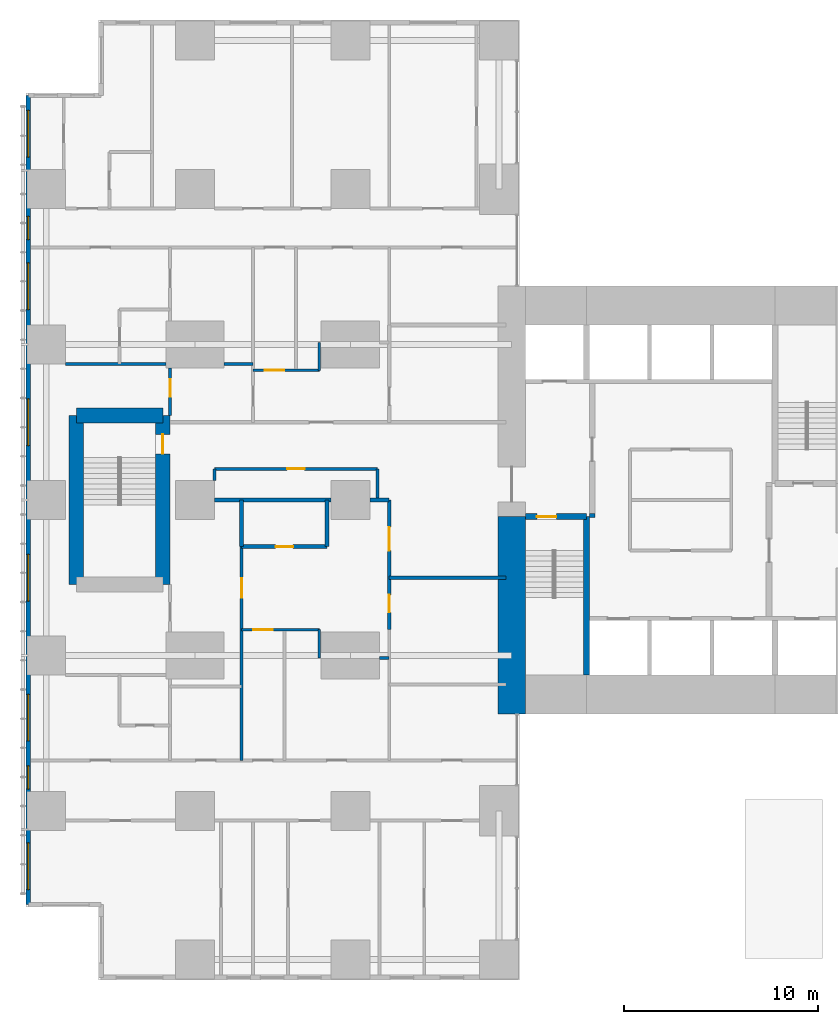
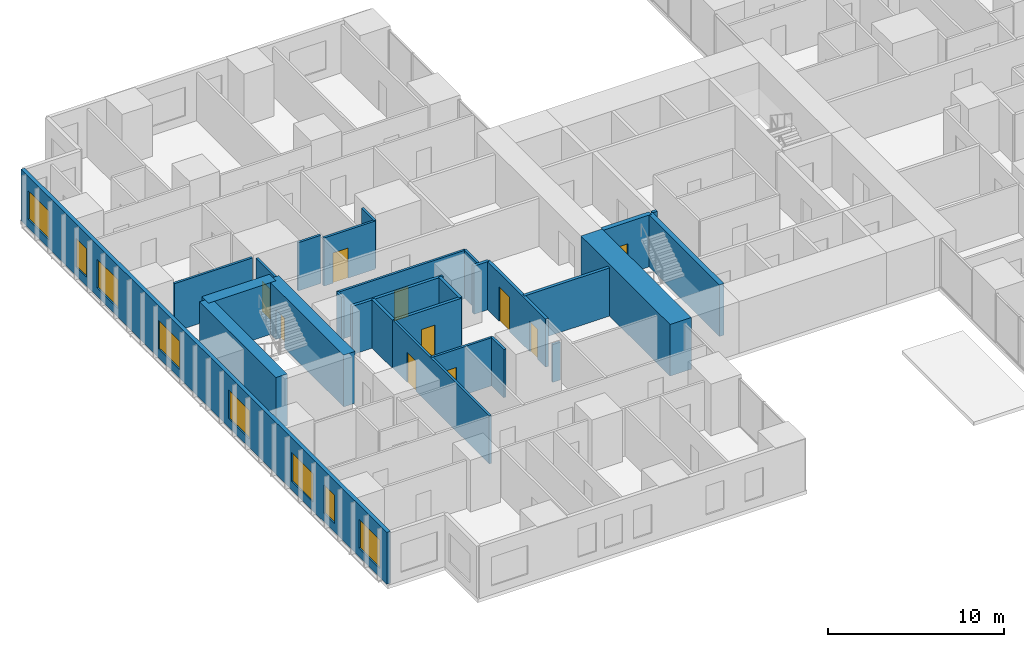
# One storey, part 15 of 22: 27 walls, 10 doors, 8 windows, 18 openings.
"""IFC4 building model written with IfcOpenShell, lengths in metres."""

from ifc_helpers import new_model, si_unit, direction, frame, frame_2d, origin, place, context, subcontext, project, spatial, rectangle, extrude, material, layer, layer_set, type_object, element, fill, save


model = new_model("IFC4")

# Units and contexts
model_context = context("Model", 3, precision=1e-05, world=origin(), true_north=direction((0.0, 1.0)))
body_context = subcontext(model_context, "Body", "Model", "MODEL_VIEW")
ifc_project = project(units=[si_unit("LENGTHUNIT", "METRE"), si_unit("AREAUNIT", "SQUARE_METRE"), si_unit("VOLUMEUNIT", "CUBIC_METRE"), si_unit("PLANEANGLEUNIT", "RADIAN"), si_unit("MASSUNIT", "GRAM", prefix="KILO")], contexts=[model_context])

# Site, building, storey
site_placement = place(None, origin())
site = spatial("IfcSite", under=ifc_project, at=site_placement, CompositionType="ELEMENT")
building_placement = place(site_placement, origin())
building = spatial("IfcBuilding", under=site, at=building_placement, Name="Cleftline Residences", CompositionType="ELEMENT")
storey_placement = place(building_placement, frame((0.0, 0.0, 29.60009765625)))
storey = spatial("IfcBuildingStorey", under=building, at=storey_placement, Name="L06", CompositionType="ELEMENT", Elevation=29.60009765625)

# Walls
ifc_material_1 = material(Name="Concrete B70", Category="concrete")
ifc_layer_1 = layer(ifc_material_1, 1.39990234375)
ifc_layer_set_1 = layer_set([ifc_layer_1], Name="CORE WALL 1400")
wall_type_1 = type_object("IfcWallType", Name="CORE WALL 1400", PredefinedType="SHEAR", material=ifc_layer_set_1)
wall_1_placement = place(storey_placement, frame((24.300048828125, 13.0, 0.0), z_axis=(0.0, 0.0, 1.0), x_axis=(0.0, 1.0, 0.0)))
element("IfcWall", 1, at=wall_1_placement, inside=storey, type_object=wall_type_1, Name="Core wall W0", PredefinedType="SHEAR", context=body_context, shape_type="SweptSolid", body=[
    extrude(rectangle(XDim=10.14990234375, YDim=1.39990234375, at=frame_2d((5.074951171875, 0.0))), origin(), (0.0, 0.0, 1.0), 3.599853515625),
])
ifc_material_2 = material(Name="Concrete B70", Category="concrete")
ifc_layer_2 = layer(ifc_material_2, 0.300048828125)
ifc_layer_set_2 = layer_set([ifc_layer_2], Name="CORE WALL 300")
wall_type_2 = type_object("IfcWallType", Name="CORE WALL 300", PredefinedType="SHEAR", material=ifc_layer_set_2)
wall_2_placement = place(storey_placement, frame((28.14990234375, 15.0, 0.0), z_axis=(0.0, 0.0, 1.0), x_axis=(0.0, 1.0, 0.0)))
element("IfcWall", 2, at=wall_2_placement, inside=storey, type_object=wall_type_2, Name="Core wall SA-E", PredefinedType="SHEAR", context=body_context, shape_type="SweptSolid", body=[
    extrude(rectangle(XDim=8.14990234375, YDim=0.300048828125, at=frame_2d((4.074951171875, 0.0))), origin(), (0.0, 0.0, 1.0), 3.599853515625),
])

# Wall, opening, door
wall_3_placement = place(storey_placement, frame((25.0, 23.14990234375, 0.0), z_axis=(0.0, 0.0, 1.0), x_axis=(1.0, 0.0, 0.0)))
wall_3 = element("IfcWall", 3, at=wall_3_placement, inside=storey, type_object=wall_type_2, Name="Core wall SA-N", PredefinedType="SHEAR", context=body_context, shape_type="SweptSolid", body=[
    extrude(rectangle(XDim=3.14990234375, YDim=0.300048828125, at=frame_2d((1.574951171875, 0.0))), origin(), (0.0, 0.0, 1.0), 3.599853515625),
])
opening_1_placement = place(wall_3_placement, frame((0.60009765625, 0.0, 0.0)))
opening_1 = element("IfcOpeningElement", 4, at=opening_1_placement, cuts=wall_3, Name="Opening D5", PredefinedType="OPENING", context=body_context, shape_type="SweptSolid", body=[
    extrude(rectangle(XDim=1.0, YDim=2.10009765625, at=frame_2d((0.5, 1.050048828125))), frame((0.0, 0.159912109375, 0.0), z_axis=(0.0, -1.0, 0.0), x_axis=(1.0, 0.0, 0.0)), (0.0, 0.0, 1.0), 0.320068359375),
])
ifc_material_3 = material(Name="Steel", Category="steel")
door_type_1 = type_object("IfcDoorType", Name="STAIR DOOR 1000X2100", OperationType="SINGLE_SWING_LEFT", PredefinedType="DOOR", material=ifc_material_3)
door_1_placement = place(opening_1_placement, origin())
door_1 = element("IfcDoor", 5, at=door_1_placement, inside=storey, type_object=door_type_1, Name="Stair A door", OperationType="SINGLE_SWING_RIGHT", OverallHeight=2.10009765625, OverallWidth=1.0, PredefinedType="DOOR", context=body_context, shape_type="SweptSolid", body=[
    extrude(rectangle(XDim=1.0, YDim=2.10009765625, at=frame_2d((0.5, 1.050048828125))), frame((0.0, 0.02490234375, 0.0), z_axis=(0.0, -1.0, 0.0), x_axis=(1.0, 0.0, 0.0)), (0.0, 0.0, 1.0), 0.050048828125),
])
fill(opening_1, door_1)

# Wall, openings, windows
ifc_material_4 = material(Name="Rendered reinforced concrete blockwork", Category="masonry")
ifc_layer_3 = layer(ifc_material_4, 0.25)
ifc_layer_set_3 = layer_set([ifc_layer_3], Name="EXTERNAL WALL 250")
wall_type_3 = type_object("IfcWallType", Name="EXTERNAL WALL 250", PredefinedType="SOLIDWALL", material=ifc_layer_set_3)
wall_4_placement = place(storey_placement, frame((-0.574951171875, 44.824951171875, 0.0), z_axis=(0.0, 0.0, 1.0), x_axis=(0.0, -1.0, 0.0)))
wall_4 = element("IfcWall", 6, at=wall_4_placement, inside=storey, type_object=wall_type_3, Name="External wall", PredefinedType="SOLIDWALL", context=body_context, shape_type="SweptSolid", body=[
    extrude(rectangle(XDim=41.64990234375, YDim=0.25, at=frame_2d((20.824951171875, 0.0))), origin(), (0.0, 0.0, 1.0), 3.599853515625),
])
opening_2_placement = place(wall_4_placement, frame((0.77490234375, 0.0, 0.60009765625)))
opening_2 = element("IfcOpeningElement", 7, at=opening_2_placement, cuts=wall_4, Name="Opening W6", PredefinedType="OPENING", context=body_context, shape_type="SweptSolid", body=[
    extrude(rectangle(XDim=2.39990234375, YDim=2.0, at=frame_2d((1.199951171875, 1.0))), frame((0.0, 0.135009765625, 0.0), z_axis=(0.0, -1.0, 0.0), x_axis=(1.0, 0.0, 0.0)), (0.0, 0.0, 1.0), 0.27001953125),
])
opening_3_placement = place(wall_4_placement, frame((6.22509765625, 0.0, 0.60009765625)))
opening_3 = element("IfcOpeningElement", 8, at=opening_3_placement, cuts=wall_4, Name="Opening W8", PredefinedType="OPENING", context=body_context, shape_type="SweptSolid", body=[
    extrude(rectangle(XDim=1.199951171875, YDim=2.0, at=frame_2d((0.60009765625, 1.0))), frame((0.0, 0.135009765625, 0.0), z_axis=(0.0, -1.0, 0.0), x_axis=(1.0, 0.0, 0.0)), (0.0, 0.0, 1.0), 0.27001953125),
])
opening_4_placement = place(wall_4_placement, frame((8.625, 0.0, 0.60009765625)))
opening_4 = element("IfcOpeningElement", 9, at=opening_4_placement, cuts=wall_4, Name="Opening W6", PredefinedType="OPENING", context=body_context, shape_type="SweptSolid", body=[
    extrude(rectangle(XDim=2.39990234375, YDim=2.0, at=frame_2d((1.199951171875, 1.0))), frame((0.0, 0.135009765625, 0.0), z_axis=(0.0, -1.0, 0.0), x_axis=(1.0, 0.0, 0.0)), (0.0, 0.0, 1.0), 0.27001953125),
])
opening_5_placement = place(wall_4_placement, frame((15.625, 0.0, 0.60009765625)))
opening_5 = element("IfcOpeningElement", 10, at=opening_5_placement, cuts=wall_4, Name="Opening W6", PredefinedType="OPENING", context=body_context, shape_type="SweptSolid", body=[
    extrude(rectangle(XDim=2.39990234375, YDim=2.0, at=frame_2d((1.199951171875, 1.0))), frame((0.0, 0.135009765625, 0.0), z_axis=(0.0, -1.0, 0.0), x_axis=(1.0, 0.0, 0.0)), (0.0, 0.0, 1.0), 0.27001953125),
])
opening_6_placement = place(wall_4_placement, frame((23.625, 0.0, 0.60009765625)))
opening_6 = element("IfcOpeningElement", 11, at=opening_6_placement, cuts=wall_4, Name="Opening W6", PredefinedType="OPENING", context=body_context, shape_type="SweptSolid", body=[
    extrude(rectangle(XDim=2.39990234375, YDim=2.0, at=frame_2d((1.199951171875, 1.0))), frame((0.0, 0.135009765625, 0.0), z_axis=(0.0, -1.0, 0.0), x_axis=(1.0, 0.0, 0.0)), (0.0, 0.0, 1.0), 0.27001953125),
])
opening_7_placement = place(wall_4_placement, frame((30.824951171875, 0.0, 0.60009765625)))
opening_7 = element("IfcOpeningElement", 12, at=opening_7_placement, cuts=wall_4, Name="Opening W6", PredefinedType="OPENING", context=body_context, shape_type="SweptSolid", body=[
    extrude(rectangle(XDim=2.39990234375, YDim=2.0, at=frame_2d((1.199951171875, 1.0))), frame((0.0, 0.135009765625, 0.0), z_axis=(0.0, -1.0, 0.0), x_axis=(1.0, 0.0, 0.0)), (0.0, 0.0, 1.0), 0.27001953125),
])
opening_8_placement = place(wall_4_placement, frame((34.5, 0.0, 0.60009765625)))
opening_8 = element("IfcOpeningElement", 13, at=opening_8_placement, cuts=wall_4, Name="Opening W8", PredefinedType="OPENING", context=body_context, shape_type="SweptSolid", body=[
    extrude(rectangle(XDim=1.199951171875, YDim=2.0, at=frame_2d((0.60009765625, 1.0))), frame((0.0, 0.135009765625, 0.0), z_axis=(0.0, -1.0, 0.0), x_axis=(1.0, 0.0, 0.0)), (0.0, 0.0, 1.0), 0.27001953125),
])
opening_9_placement = place(wall_4_placement, frame((38.47509765625, 0.0, 0.60009765625)))
opening_9 = element("IfcOpeningElement", 14, at=opening_9_placement, cuts=wall_4, Name="Opening W6", PredefinedType="OPENING", context=body_context, shape_type="SweptSolid", body=[
    extrude(rectangle(XDim=2.39990234375, YDim=2.0, at=frame_2d((1.199951171875, 1.0))), frame((0.0, 0.135009765625, 0.0), z_axis=(0.0, -1.0, 0.0), x_axis=(1.0, 0.0, 0.0)), (0.0, 0.0, 1.0), 0.27001953125),
])
ifc_material_5 = material(Name="Aluminium frame, clear double glazing", Category="aluminium")
window_type_1 = type_object("IfcWindowType", Name="WINDOW 1200X2000", PartitioningType="DOUBLE_PANEL_VERTICAL", PredefinedType="WINDOW", material=ifc_material_5)
window_1_placement = place(opening_3_placement, origin())
window_1 = element("IfcWindow", 15, at=window_1_placement, inside=storey, type_object=window_type_1, Name="Window", OverallHeight=2.0, OverallWidth=1.199951171875, PartitioningType="SINGLE_PANEL", PredefinedType="WINDOW", context=body_context, shape_type="SweptSolid", body=[
    extrude(rectangle(XDim=1.199951171875, YDim=2.0, at=frame_2d((0.60009765625, 1.0))), frame((0.0, 0.030029296875, 0.0), z_axis=(0.0, -1.0, 0.0), x_axis=(1.0, 0.0, 0.0)), (0.0, 0.0, 1.0), 0.06005859375),
])
fill(opening_3, window_1)
window_2_placement = place(opening_8_placement, origin())
window_2 = element("IfcWindow", 16, at=window_2_placement, inside=storey, type_object=window_type_1, Name="Window", OverallHeight=2.0, OverallWidth=1.199951171875, PartitioningType="SINGLE_PANEL", PredefinedType="WINDOW", context=body_context, shape_type="SweptSolid", body=[
    extrude(rectangle(XDim=1.199951171875, YDim=2.0, at=frame_2d((0.60009765625, 1.0))), frame((0.0, 0.030029296875, 0.0), z_axis=(0.0, -1.0, 0.0), x_axis=(1.0, 0.0, 0.0)), (0.0, 0.0, 1.0), 0.06005859375),
])
fill(opening_8, window_2)
ifc_material_6 = material(Name="Aluminium frame, clear double glazing", Category="aluminium")
window_type_2 = type_object("IfcWindowType", Name="WINDOW 2400X2000", PartitioningType="DOUBLE_PANEL_VERTICAL", PredefinedType="WINDOW", material=ifc_material_6)
window_3_placement = place(opening_2_placement, origin())
window_3 = element("IfcWindow", 17, at=window_3_placement, inside=storey, type_object=window_type_2, Name="Window", OverallHeight=2.0, OverallWidth=2.39990234375, PartitioningType="SINGLE_PANEL", PredefinedType="WINDOW", context=body_context, shape_type="SweptSolid", body=[
    extrude(rectangle(XDim=2.39990234375, YDim=2.0, at=frame_2d((1.199951171875, 1.0))), frame((0.0, 0.030029296875, 0.0), z_axis=(0.0, -1.0, 0.0), x_axis=(1.0, 0.0, 0.0)), (0.0, 0.0, 1.0), 0.06005859375),
])
fill(opening_2, window_3)
window_4_placement = place(opening_4_placement, origin())
window_4 = element("IfcWindow", 18, at=window_4_placement, inside=storey, type_object=window_type_2, Name="Window", OverallHeight=2.0, OverallWidth=2.39990234375, PartitioningType="SINGLE_PANEL", PredefinedType="WINDOW", context=body_context, shape_type="SweptSolid", body=[
    extrude(rectangle(XDim=2.39990234375, YDim=2.0, at=frame_2d((1.199951171875, 1.0))), frame((0.0, 0.030029296875, 0.0), z_axis=(0.0, -1.0, 0.0), x_axis=(1.0, 0.0, 0.0)), (0.0, 0.0, 1.0), 0.06005859375),
])
fill(opening_4, window_4)
window_5_placement = place(opening_5_placement, origin())
window_5 = element("IfcWindow", 19, at=window_5_placement, inside=storey, type_object=window_type_2, Name="Window", OverallHeight=2.0, OverallWidth=2.39990234375, PartitioningType="SINGLE_PANEL", PredefinedType="WINDOW", context=body_context, shape_type="SweptSolid", body=[
    extrude(rectangle(XDim=2.39990234375, YDim=2.0, at=frame_2d((1.199951171875, 1.0))), frame((0.0, 0.030029296875, 0.0), z_axis=(0.0, -1.0, 0.0), x_axis=(1.0, 0.0, 0.0)), (0.0, 0.0, 1.0), 0.06005859375),
])
fill(opening_5, window_5)
window_6_placement = place(opening_6_placement, origin())
window_6 = element("IfcWindow", 20, at=window_6_placement, inside=storey, type_object=window_type_2, Name="Window", OverallHeight=2.0, OverallWidth=2.39990234375, PartitioningType="SINGLE_PANEL", PredefinedType="WINDOW", context=body_context, shape_type="SweptSolid", body=[
    extrude(rectangle(XDim=2.39990234375, YDim=2.0, at=frame_2d((1.199951171875, 1.0))), frame((0.0, 0.030029296875, 0.0), z_axis=(0.0, -1.0, 0.0), x_axis=(1.0, 0.0, 0.0)), (0.0, 0.0, 1.0), 0.06005859375),
])
fill(opening_6, window_6)
window_7_placement = place(opening_7_placement, origin())
window_7 = element("IfcWindow", 21, at=window_7_placement, inside=storey, type_object=window_type_2, Name="Window", OverallHeight=2.0, OverallWidth=2.39990234375, PartitioningType="SINGLE_PANEL", PredefinedType="WINDOW", context=body_context, shape_type="SweptSolid", body=[
    extrude(rectangle(XDim=2.39990234375, YDim=2.0, at=frame_2d((1.199951171875, 1.0))), frame((0.0, 0.030029296875, 0.0), z_axis=(0.0, -1.0, 0.0), x_axis=(1.0, 0.0, 0.0)), (0.0, 0.0, 1.0), 0.06005859375),
])
fill(opening_7, window_7)
window_8_placement = place(opening_9_placement, origin())
window_8 = element("IfcWindow", 22, at=window_8_placement, inside=storey, type_object=window_type_2, Name="Window", OverallHeight=2.0, OverallWidth=2.39990234375, PartitioningType="SINGLE_PANEL", PredefinedType="WINDOW", context=body_context, shape_type="SweptSolid", body=[
    extrude(rectangle(XDim=2.39990234375, YDim=2.0, at=frame_2d((1.199951171875, 1.0))), frame((0.0, 0.030029296875, 0.0), z_axis=(0.0, -1.0, 0.0), x_axis=(1.0, 0.0, 0.0)), (0.0, 0.0, 1.0), 0.06005859375),
])
fill(opening_9, window_8)

# Wall
ifc_material_7 = material(Name="Concrete blockwork, fire rated", Category="masonry")
ifc_layer_4 = layer(ifc_material_7, 0.199951171875)
ifc_layer_set_4 = layer_set([ifc_layer_4], Name="FIRE WALL 200")
wall_type_4 = type_object("IfcWallType", Name="FIRE WALL 200", PredefinedType="PARTITIONING", material=ifc_layer_set_4)
wall_5_placement = place(storey_placement, frame((18.0, 20.0, 0.0), z_axis=(0.0, 0.0, 1.0), x_axis=(1.0, 0.0, 0.0)))
element("IfcWall", 23, at=wall_5_placement, inside=storey, type_object=wall_type_4, Name="Fire separating wall", PredefinedType="PARTITIONING", context=body_context, shape_type="SweptSolid", body=[
    extrude(rectangle(XDim=6.0, YDim=0.199951171875, at=frame_2d((3.0, 0.0))), origin(), (0.0, 0.0, 1.0), 3.349853515625),
])

# Wall, opening, door
wall_6_placement = place(storey_placement, frame((10.39990234375, 21.60009765625, 0.0), z_axis=(0.0, 0.0, 1.0), x_axis=(1.0, 0.0, 0.0)))
wall_6 = element("IfcWall", 24, at=wall_6_placement, inside=storey, type_object=wall_type_4, Name="Fire separating wall", PredefinedType="PARTITIONING", context=body_context, shape_type="SweptSolid", body=[
    extrude(rectangle(XDim=4.400146484375, YDim=0.199951171875, at=frame_2d((2.2001953125, 0.0))), origin(), (0.0, 0.0, 1.0), 3.349853515625),
])
opening_10_placement = place(wall_6_placement, frame((1.75, 0.0, 0.0)))
opening_10 = element("IfcOpeningElement", 25, at=opening_10_placement, cuts=wall_6, Name="Opening D1F30", PredefinedType="OPENING", context=body_context, shape_type="SweptSolid", body=[
    extrude(rectangle(XDim=0.89990234375, YDim=2.10009765625, at=frame_2d((0.449951171875, 1.050048828125))), frame((0.0, 0.10986328125, 0.0), z_axis=(0.0, -1.0, 0.0), x_axis=(1.0, 0.0, 0.0)), (0.0, 0.0, 1.0), 0.219970703125),
])
ifc_material_8 = material(Name="Timber veneer on solid core", Category="wood")
door_type_2 = type_object("IfcDoorType", Name="DOOR 900X2100 EI 30", OperationType="SINGLE_SWING_LEFT", PredefinedType="DOOR", material=ifc_material_8)
door_2_placement = place(opening_10_placement, origin())
door_2 = element("IfcDoor", 26, at=door_2_placement, inside=storey, type_object=door_type_2, Name="Door to cloakroom wc", OperationType="SINGLE_SWING_LEFT", OverallHeight=2.10009765625, OverallWidth=0.89990234375, PredefinedType="DOOR", context=body_context, shape_type="SweptSolid", body=[
    extrude(rectangle(XDim=0.89990234375, YDim=2.10009765625, at=frame_2d((0.449951171875, 1.050048828125))), frame((0.0, 0.02490234375, 0.0), z_axis=(0.0, -1.0, 0.0), x_axis=(1.0, 0.0, 0.0)), (0.0, 0.0, 1.0), 0.050048828125),
])
fill(opening_10, door_2)

# Walls
wall_7_placement = place(storey_placement, frame((9.0, 24.0, 0.0), z_axis=(0.0, 0.0, 1.0), x_axis=(1.0, 0.0, 0.0)))
element("IfcWall", 27, at=wall_7_placement, inside=storey, type_object=wall_type_4, Name="Fire separating wall", PredefinedType="PARTITIONING", context=body_context, shape_type="SweptSolid", body=[
    extrude(rectangle(XDim=6.0, YDim=0.199951171875, at=frame_2d((3.0, 0.0))), origin(), (0.0, 0.0, 1.0), 3.349853515625),
])
wall_8_placement = place(storey_placement, frame((17.0, 24.0, 0.0), z_axis=(0.0, 0.0, 1.0), x_axis=(1.0, 0.0, 0.0)))
element("IfcWall", 28, at=wall_8_placement, inside=storey, type_object=wall_type_4, Name="Fire separating wall", PredefinedType="PARTITIONING", context=body_context, shape_type="SweptSolid", body=[
    extrude(rectangle(XDim=1.0, YDim=0.199951171875, at=frame_2d((0.5, 0.0))), origin(), (0.0, 0.0, 1.0), 3.349853515625),
])
for number, where, z_axis, x_axis, name in (
    (29, (10.39990234375, 21.60009765625, 0.0), (0.0, 0.0, 1.0), (0.0, 1.0, 0.0), "Fire separating wall"),
    (30, (14.800048828125, 21.60009765625, 0.0), (0.0, 0.0, 1.0), (0.0, 1.0, 0.0), "Fire separating wall"),
):
    element("IfcWall", number, at=place(storey_placement, frame(where, z_axis=z_axis, x_axis=x_axis)), inside=storey, type_object=wall_type_4, Name=name, PredefinedType="PARTITIONING", context=body_context, shape_type="SweptSolid", body=[
        extrude(rectangle(XDim=2.39990234375, YDim=0.199951171875, at=frame_2d((1.199951171875, 0.0))), origin(), (0.0, 0.0, 1.0), 3.349853515625),
    ])

# Wall, openings, doors
wall_9_placement = place(storey_placement, frame((18.0, 17.324951171875, 0.0), z_axis=(0.0, 0.0, 1.0), x_axis=(0.0, 1.0, 0.0)))
wall_9 = element("IfcWall", 31, at=wall_9_placement, inside=storey, type_object=wall_type_4, Name="Fire separating wall", PredefinedType="PARTITIONING", context=body_context, shape_type="SweptSolid", body=[
    extrude(rectangle(XDim=6.675048828125, YDim=0.199951171875, at=frame_2d((3.33740234375, 0.0))), origin(), (0.0, 0.0, 1.0), 3.349853515625),
])
opening_11_placement = place(wall_9_placement, frame((4.074951171875, 0.0, 0.0)))
opening_11 = element("IfcOpeningElement", 32, at=opening_11_placement, cuts=wall_9, Name="Opening D4", PredefinedType="OPENING", context=body_context, shape_type="SweptSolid", body=[
    extrude(rectangle(XDim=1.199951171875, YDim=2.39990234375, at=frame_2d((0.60009765625, 1.199951171875))), frame((0.0, 0.10986328125, 0.0), z_axis=(0.0, -1.0, 0.0), x_axis=(1.0, 0.0, 0.0)), (0.0, 0.0, 1.0), 0.219970703125),
])
opening_12_placement = place(wall_9_placement, frame((0.887451171875, 0.0, 0.0)))
opening_12 = element("IfcOpeningElement", 33, at=opening_12_placement, cuts=wall_9, Name="Opening D1F30", PredefinedType="OPENING", context=body_context, shape_type="SweptSolid", body=[
    extrude(rectangle(XDim=0.89990234375, YDim=2.10009765625, at=frame_2d((0.449951171875, 1.050048828125))), frame((0.0, 0.10986328125, 0.0), z_axis=(0.0, -1.0, 0.0), x_axis=(1.0, 0.0, 0.0)), (0.0, 0.0, 1.0), 0.219970703125),
])
ifc_material_9 = material(Name="Timber veneer on solid core", Category="wood")
door_type_3 = type_object("IfcDoorType", Name="APARTMENT ENTRANCE DOOR 1200X2400", OperationType="SINGLE_SWING_RIGHT", PredefinedType="DOOR", material=ifc_material_9)
door_3_placement = place(opening_11_placement, origin())
door_3 = element("IfcDoor", 34, at=door_3_placement, inside=storey, type_object=door_type_3, Name="Door to residence entrance foyer", OperationType="SINGLE_SWING_LEFT", OverallHeight=2.39990234375, OverallWidth=1.199951171875, PredefinedType="DOOR", context=body_context, shape_type="SweptSolid", body=[
    extrude(rectangle(XDim=1.199951171875, YDim=2.39990234375, at=frame_2d((0.60009765625, 1.199951171875))), frame((0.0, 0.02490234375, 0.0), z_axis=(0.0, -1.0, 0.0), x_axis=(1.0, 0.0, 0.0)), (0.0, 0.0, 1.0), 0.050048828125),
])
fill(opening_11, door_3)
door_4_placement = place(opening_12_placement, origin())
door_4 = element("IfcDoor", 35, at=door_4_placement, inside=storey, type_object=door_type_2, Name="Door to utility room", OperationType="SINGLE_SWING_RIGHT", OverallHeight=2.10009765625, OverallWidth=0.89990234375, PredefinedType="DOOR", context=body_context, shape_type="SweptSolid", body=[
    extrude(rectangle(XDim=0.89990234375, YDim=2.10009765625, at=frame_2d((0.449951171875, 1.050048828125))), frame((0.0, 0.02490234375, 0.0), z_axis=(0.0, -1.0, 0.0), x_axis=(1.0, 0.0, 0.0)), (0.0, 0.0, 1.0), 0.050048828125),
])
fill(opening_12, door_4)

# Walls
wall_10_placement = place(storey_placement, frame((28.300048828125, 23.199951171875, 0.0), z_axis=(0.0, 0.0, 1.0), x_axis=(1.0, 0.0, 0.0)))
element("IfcWall", 36, at=wall_10_placement, inside=storey, type_object=wall_type_4, Name="Fire separating wall", PredefinedType="PARTITIONING", context=body_context, shape_type="SweptSolid", body=[
    extrude(rectangle(XDim=0.300048828125, YDim=0.199951171875, at=frame_2d((0.14990234375, 0.0))), origin(), (0.0, 0.0, 1.0), 3.599853515625),
])
ifc_material_10 = material(Name="Gypsum board on steel studs", Category="steel")
ifc_layer_5 = layer(ifc_material_10, 0.14990234375)
ifc_layer_set_5 = layer_set([ifc_layer_5], Name="PARTITION 150")
wall_type_5 = type_object("IfcWallType", Name="PARTITION 150", PredefinedType="PARTITIONING", material=ifc_layer_set_5)
wall_11_placement = place(storey_placement, frame((17.5, 15.875, 0.0), z_axis=(0.0, 0.0, 1.0), x_axis=(1.0, 0.0, 0.0)))
element("IfcWall", 37, at=wall_11_placement, inside=storey, type_object=wall_type_5, Name="Partition", PredefinedType="PARTITIONING", context=body_context, shape_type="SweptSolid", body=[
    extrude(rectangle(XDim=0.5, YDim=0.14990234375, at=frame_2d((0.25, 0.0))), origin(), (0.0, 0.0, 1.0), 2.6337890625),
])

# Wall, opening, door
wall_12_placement = place(storey_placement, frame((10.39990234375, 17.324951171875, 0.0), z_axis=(0.0, 0.0, 1.0), x_axis=(1.0, 0.0, 0.0)))
wall_12 = element("IfcWall", 38, at=wall_12_placement, inside=storey, type_object=wall_type_5, Name="Partition", PredefinedType="PARTITIONING", context=body_context, shape_type="SweptSolid", body=[
    extrude(rectangle(XDim=4.0, YDim=0.14990234375, at=frame_2d((2.0, 0.0))), origin(), (0.0, 0.0, 1.0), 3.349853515625),
])
opening_13_placement = place(wall_12_placement, frame((0.60009765625, 0.0, 0.0)))
opening_13 = element("IfcOpeningElement", 39, at=opening_13_placement, cuts=wall_12, Name="Opening D2", PredefinedType="OPENING", context=body_context, shape_type="SweptSolid", body=[
    extrude(rectangle(XDim=1.0, YDim=2.10009765625, at=frame_2d((0.5, 1.050048828125))), frame((0.0, 0.0849609375, 0.0), z_axis=(0.0, -1.0, 0.0), x_axis=(1.0, 0.0, 0.0)), (0.0, 0.0, 1.0), 0.169921875),
])
ifc_material_11 = material(Name="Timber veneer on solid core", Category="wood")
door_type_4 = type_object("IfcDoorType", Name="DOOR 1000X2100", OperationType="SINGLE_SWING_LEFT", PredefinedType="DOOR", material=ifc_material_11)
door_5_placement = place(opening_13_placement, origin())
door_5 = element("IfcDoor", 40, at=door_5_placement, inside=storey, type_object=door_type_4, Name="Door to residence passage", OperationType="SINGLE_SWING_RIGHT", OverallHeight=2.10009765625, OverallWidth=1.0, PredefinedType="DOOR", context=body_context, shape_type="SweptSolid", body=[
    extrude(rectangle(XDim=1.0, YDim=2.10009765625, at=frame_2d((0.5, 1.050048828125))), frame((0.0, 0.02490234375, 0.0), z_axis=(0.0, -1.0, 0.0), x_axis=(1.0, 0.0, 0.0)), (0.0, 0.0, 1.0), 0.050048828125),
])
fill(opening_13, door_5)

wall_13_placement = place(storey_placement, frame((9.0, 25.60009765625, 0.0), z_axis=(0.0, 0.0, 1.0), x_axis=(1.0, 0.0, 0.0)))
wall_13 = element("IfcWall", 41, at=wall_13_placement, inside=storey, type_object=wall_type_5, Name="Partition", PredefinedType="PARTITIONING", context=body_context, shape_type="SweptSolid", body=[
    extrude(rectangle(XDim=8.39990234375, YDim=0.14990234375, at=frame_2d((4.199951171875, 0.0))), origin(), (0.0, 0.0, 1.0), 3.349853515625),
])
opening_14_placement = place(wall_13_placement, frame((3.75, 0.0, 0.0)))
opening_14 = element("IfcOpeningElement", 42, at=opening_14_placement, cuts=wall_13, Name="Opening D1", PredefinedType="OPENING", context=body_context, shape_type="SweptSolid", body=[
    extrude(rectangle(XDim=0.89990234375, YDim=2.10009765625, at=frame_2d((0.449951171875, 1.050048828125))), frame((0.0, 0.0849609375, 0.0), z_axis=(0.0, -1.0, 0.0), x_axis=(1.0, 0.0, 0.0)), (0.0, 0.0, 1.0), 0.169921875),
])
ifc_material_12 = material(Name="Timber veneer on solid core", Category="wood")
door_type_5 = type_object("IfcDoorType", Name="DOOR 900X2100", OperationType="SINGLE_SWING_LEFT", PredefinedType="DOOR", material=ifc_material_12)
door_6_placement = place(opening_14_placement, origin())
door_6 = element("IfcDoor", 43, at=door_6_placement, inside=storey, type_object=door_type_5, Name="Door to residents' locker room", OperationType="SINGLE_SWING_LEFT", OverallHeight=2.10009765625, OverallWidth=0.89990234375, PredefinedType="DOOR", context=body_context, shape_type="SweptSolid", body=[
    extrude(rectangle(XDim=0.89990234375, YDim=2.10009765625, at=frame_2d((0.449951171875, 1.050048828125))), frame((0.0, 0.02490234375, 0.0), z_axis=(0.0, -1.0, 0.0), x_axis=(1.0, 0.0, 0.0)), (0.0, 0.0, 1.0), 0.050048828125),
])
fill(opening_14, door_6)

wall_14_placement = place(storey_placement, frame((11.0, 30.675048828125, 0.0), z_axis=(0.0, 0.0, 1.0), x_axis=(1.0, 0.0, 0.0)))
wall_14 = element("IfcWall", 44, at=wall_14_placement, inside=storey, type_object=wall_type_5, Name="Partition", PredefinedType="PARTITIONING", context=body_context, shape_type="SweptSolid", body=[
    extrude(rectangle(XDim=3.39990234375, YDim=0.14990234375, at=frame_2d((1.699951171875, 0.0))), origin(), (0.0, 0.0, 1.0), 3.349853515625),
])
opening_15_placement = place(wall_14_placement, frame((0.60009765625, 0.0, 0.0)))
opening_15 = element("IfcOpeningElement", 45, at=opening_15_placement, cuts=wall_14, Name="Opening D2", PredefinedType="OPENING", context=body_context, shape_type="SweptSolid", body=[
    extrude(rectangle(XDim=1.0, YDim=2.10009765625, at=frame_2d((0.5, 1.050048828125))), frame((0.0, 0.0849609375, 0.0), z_axis=(0.0, -1.0, 0.0), x_axis=(1.0, 0.0, 0.0)), (0.0, 0.0, 1.0), 0.169921875),
])
door_7_placement = place(opening_15_placement, origin())
door_7 = element("IfcDoor", 46, at=door_7_placement, inside=storey, type_object=door_type_4, Name="Door to residence passage", OperationType="SINGLE_SWING_RIGHT", OverallHeight=2.10009765625, OverallWidth=1.0, PredefinedType="DOOR", context=body_context, shape_type="SweptSolid", body=[
    extrude(rectangle(XDim=1.0, YDim=2.10009765625, at=frame_2d((0.5, 1.050048828125))), frame((0.0, 0.02490234375, 0.0), z_axis=(0.0, -1.0, 0.0), x_axis=(1.0, 0.0, 0.0)), (0.0, 0.0, 1.0), 0.050048828125),
])
fill(opening_15, door_7)

# Walls
wall_15_placement = place(storey_placement, frame((1.35009765625, 31.0, 0.0), z_axis=(0.0, 0.0, 1.0), x_axis=(1.0, 0.0, 0.0)))
element("IfcWall", 47, at=wall_15_placement, inside=storey, type_object=wall_type_5, Name="Partition", PredefinedType="PARTITIONING", context=body_context, shape_type="SweptSolid", body=[
    extrude(rectangle(XDim=5.14990234375, YDim=0.14990234375, at=frame_2d((2.574951171875, 0.0))), origin(), (0.0, 0.0, 1.0), 3.349853515625),
])
wall_16_placement = place(storey_placement, frame((9.5, 31.0, 0.0), z_axis=(0.0, 0.0, 1.0), x_axis=(1.0, 0.0, 0.0)))
element("IfcWall", 48, at=wall_16_placement, inside=storey, type_object=wall_type_5, Name="Partition", PredefinedType="PARTITIONING", context=body_context, shape_type="SweptSolid", body=[
    extrude(rectangle(XDim=1.5, YDim=0.14990234375, at=frame_2d((0.75, 0.0))), origin(), (0.0, 0.0, 1.0), 3.349853515625),
])

# Wall, opening, door
wall_17_placement = place(storey_placement, frame((6.72509765625, 28.35009765625, 0.0), z_axis=(0.0, 0.0, 1.0), x_axis=(0.0, 1.0, 0.0)))
wall_17 = element("IfcWall", 49, at=wall_17_placement, inside=storey, type_object=wall_type_5, Name="Partition", PredefinedType="PARTITIONING", context=body_context, shape_type="SweptSolid", body=[
    extrude(rectangle(XDim=2.449951171875, YDim=0.14990234375, at=frame_2d((1.22509765625, 0.0))), origin(), (0.0, 0.0, 1.0), 3.349853515625),
])
opening_16_placement = place(wall_17_placement, frame((0.96240234375, 0.0, 0.0)))
opening_16 = element("IfcOpeningElement", 50, at=opening_16_placement, cuts=wall_17, Name="Opening D1", PredefinedType="OPENING", context=body_context, shape_type="SweptSolid", body=[
    extrude(rectangle(XDim=0.89990234375, YDim=2.10009765625, at=frame_2d((0.449951171875, 1.050048828125))), frame((0.0, 0.0849609375, 0.0), z_axis=(0.0, -1.0, 0.0), x_axis=(1.0, 0.0, 0.0)), (0.0, 0.0, 1.0), 0.169921875),
])
door_8_placement = place(opening_16_placement, origin())
door_8 = element("IfcDoor", 51, at=door_8_placement, inside=storey, type_object=door_type_5, Name="Door to service loggia", OperationType="SINGLE_SWING_LEFT", OverallHeight=2.10009765625, OverallWidth=0.89990234375, PredefinedType="DOOR", context=body_context, shape_type="SweptSolid", body=[
    extrude(rectangle(XDim=0.89990234375, YDim=2.10009765625, at=frame_2d((0.449951171875, 1.050048828125))), frame((0.0, 0.02490234375, 0.0), z_axis=(0.0, -1.0, 0.0), x_axis=(1.0, 0.0, 0.0)), (0.0, 0.0, 1.0), 0.050048828125),
])
fill(opening_16, door_8)

# Wall
wall_18_placement = place(storey_placement, frame((9.0, 25.0, 0.0), z_axis=(0.0, 0.0, 1.0), x_axis=(0.0, 1.0, 0.0)))
element("IfcWall", 52, at=wall_18_placement, inside=storey, type_object=wall_type_5, Name="Partition", PredefinedType="PARTITIONING", context=body_context, shape_type="SweptSolid", body=[
    extrude(rectangle(XDim=0.60009765625, YDim=0.14990234375, at=frame_2d((0.300048828125, 0.0))), origin(), (0.0, 0.0, 1.0), 3.349853515625),
])

# Wall, opening, door
wall_19_placement = place(storey_placement, frame((10.39990234375, 10.60009765625, 0.0), z_axis=(0.0, 0.0, 1.0), x_axis=(0.0, 1.0, 0.0)))
wall_19 = element("IfcWall", 53, at=wall_19_placement, inside=storey, type_object=wall_type_5, Name="Partition", PredefinedType="PARTITIONING", context=body_context, shape_type="SweptSolid", body=[
    extrude(rectangle(XDim=11.0, YDim=0.14990234375, at=frame_2d((5.5, 0.0))), origin(), (0.0, 0.0, 1.0), 3.349853515625),
])
opening_17_placement = place(wall_19_placement, frame((8.362548828125, 0.0, 0.0)))
opening_17 = element("IfcOpeningElement", 54, at=opening_17_placement, cuts=wall_19, Name="Opening D2F30", PredefinedType="OPENING", context=body_context, shape_type="SweptSolid", body=[
    extrude(rectangle(XDim=1.0, YDim=2.10009765625, at=frame_2d((0.5, 1.050048828125))), frame((0.0, 0.0849609375, 0.0), z_axis=(0.0, -1.0, 0.0), x_axis=(1.0, 0.0, 0.0)), (0.0, 0.0, 1.0), 0.169921875),
])
ifc_material_13 = material(Name="Timber veneer on solid core", Category="wood")
door_type_6 = type_object("IfcDoorType", Name="DOOR 1000X2100 EI 30", OperationType="SINGLE_SWING_LEFT", PredefinedType="DOOR", material=ifc_material_13)
door_9_placement = place(opening_17_placement, origin())
door_9 = element("IfcDoor", 55, at=door_9_placement, inside=storey, type_object=door_type_6, Name="Door to residence lobby (service)", OperationType="SINGLE_SWING_LEFT", OverallHeight=2.10009765625, OverallWidth=1.0, PredefinedType="DOOR", context=body_context, shape_type="SweptSolid", body=[
    extrude(rectangle(XDim=1.0, YDim=2.10009765625, at=frame_2d((0.5, 1.050048828125))), frame((0.0, 0.02490234375, 0.0), z_axis=(0.0, -1.0, 0.0), x_axis=(1.0, 0.0, 0.0)), (0.0, 0.0, 1.0), 0.050048828125),
])
fill(opening_17, door_9)

# Walls
wall_20_placement = place(storey_placement, frame((14.39990234375, 15.875, 0.0), z_axis=(0.0, 0.0, 1.0), x_axis=(0.0, 1.0, 0.0)))
element("IfcWall", 56, at=wall_20_placement, inside=storey, type_object=wall_type_5, Name="Partition", PredefinedType="PARTITIONING", context=body_context, shape_type="SweptSolid", body=[
    extrude(rectangle(XDim=1.449951171875, YDim=0.14990234375, at=frame_2d((0.72509765625, 0.0))), origin(), (0.0, 0.0, 1.0), 3.349853515625),
])
wall_21_placement = place(storey_placement, frame((14.39990234375, 30.675048828125, 0.0), z_axis=(0.0, 0.0, 1.0), x_axis=(0.0, 1.0, 0.0)))
element("IfcWall", 57, at=wall_21_placement, inside=storey, type_object=wall_type_5, Name="Partition", PredefinedType="PARTITIONING", context=body_context, shape_type="SweptSolid", body=[
    extrude(rectangle(XDim=1.425048828125, YDim=0.14990234375, at=frame_2d((0.71240234375, 0.0))), origin(), (0.0, 0.0, 1.0), 3.349853515625),
])
wall_22_placement = place(storey_placement, frame((17.39990234375, 24.0, 0.0), z_axis=(0.0, 0.0, 1.0), x_axis=(0.0, 1.0, 0.0)))
element("IfcWall", 58, at=wall_22_placement, inside=storey, type_object=wall_type_5, Name="Partition", PredefinedType="PARTITIONING", context=body_context, shape_type="SweptSolid", body=[
    extrude(rectangle(XDim=1.60009765625, YDim=0.14990234375, at=frame_2d((0.800048828125, 0.0))), origin(), (0.0, 0.0, 1.0), 3.349853515625),
])

# Wall, opening, door
ifc_material_14 = material(Name="Concrete B70", Category="concrete")
ifc_layer_6 = layer(ifc_material_14, 0.75)
ifc_layer_set_6 = layer_set([ifc_layer_6], Name="SHEAR WALL 750")
wall_type_6 = type_object("IfcWallType", Name="SHEAR WALL 750", PredefinedType="SHEAR", material=ifc_layer_set_6)
wall_23_placement = place(storey_placement, frame((6.35009765625, 19.64990234375, 0.0), z_axis=(0.0, 0.0, 1.0), x_axis=(0.0, 1.0, 0.0)))
wall_23 = element("IfcWall", 59, at=wall_23_placement, inside=storey, type_object=wall_type_6, Name="Wing shear wall", PredefinedType="SHEAR", context=body_context, shape_type="SweptSolid", body=[
    extrude(rectangle(XDim=8.7001953125, YDim=0.75, at=frame_2d((4.35009765625, 0.0))), origin(), (0.0, 0.0, 1.0), 3.599853515625),
])
opening_18_placement = place(wall_23_placement, frame((6.72509765625, 0.0, 0.0)))
opening_18 = element("IfcOpeningElement", 60, at=opening_18_placement, cuts=wall_23, Name="Opening D5", PredefinedType="OPENING", context=body_context, shape_type="SweptSolid", body=[
    extrude(rectangle(XDim=1.0, YDim=2.10009765625, at=frame_2d((0.5, 1.050048828125))), frame((0.0, 0.385009765625, 0.0), z_axis=(0.0, -1.0, 0.0), x_axis=(1.0, 0.0, 0.0)), (0.0, 0.0, 1.0), 0.77001953125),
])
door_10_placement = place(opening_18_placement, origin())
door_10 = element("IfcDoor", 61, at=door_10_placement, inside=storey, type_object=door_type_1, Name="Stair W door", OperationType="SINGLE_SWING_LEFT", OverallHeight=2.10009765625, OverallWidth=1.0, PredefinedType="DOOR", context=body_context, shape_type="SweptSolid", body=[
    extrude(rectangle(XDim=1.0, YDim=2.10009765625, at=frame_2d((0.5, 1.050048828125))), frame((0.0, 0.02490234375, 0.0), z_axis=(0.0, -1.0, 0.0), x_axis=(1.0, 0.0, 0.0)), (0.0, 0.0, 1.0), 0.050048828125),
])
fill(opening_18, door_10)

# Walls
wall_24_placement = place(storey_placement, frame((6.35009765625, 28.35009765625, 0.0), z_axis=(0.0, 0.0, 1.0), x_axis=(-1.0, 0.0, 0.0)))
element("IfcWall", 62, at=wall_24_placement, inside=storey, type_object=wall_type_6, Name="Wing shear wall", PredefinedType="SHEAR", context=body_context, shape_type="SweptSolid", body=[
    extrude(rectangle(XDim=4.4501953125, YDim=0.75, at=frame_2d((2.22509765625, 0.0))), origin(), (0.0, 0.0, 1.0), 3.599853515625),
])
wall_25_placement = place(storey_placement, frame((1.89990234375, 28.35009765625, 0.0), z_axis=(0.0, 0.0, 1.0), x_axis=(0.0, -1.0, 0.0)))
element("IfcWall", 63, at=wall_25_placement, inside=storey, type_object=wall_type_6, Name="Wing shear wall", PredefinedType="SHEAR", context=body_context, shape_type="SweptSolid", body=[
    extrude(rectangle(XDim=8.7001953125, YDim=0.75, at=frame_2d((4.35009765625, 0.0))), origin(), (0.0, 0.0, 1.0), 3.599853515625),
])

save(model, "model.ifc")
